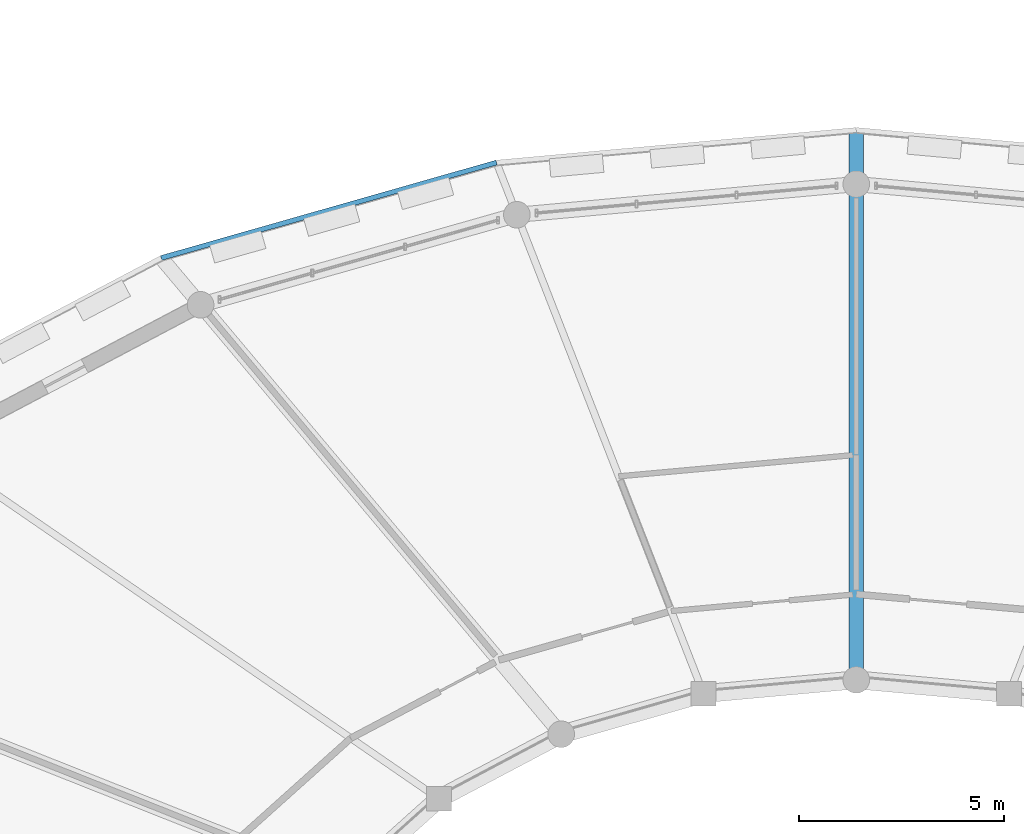
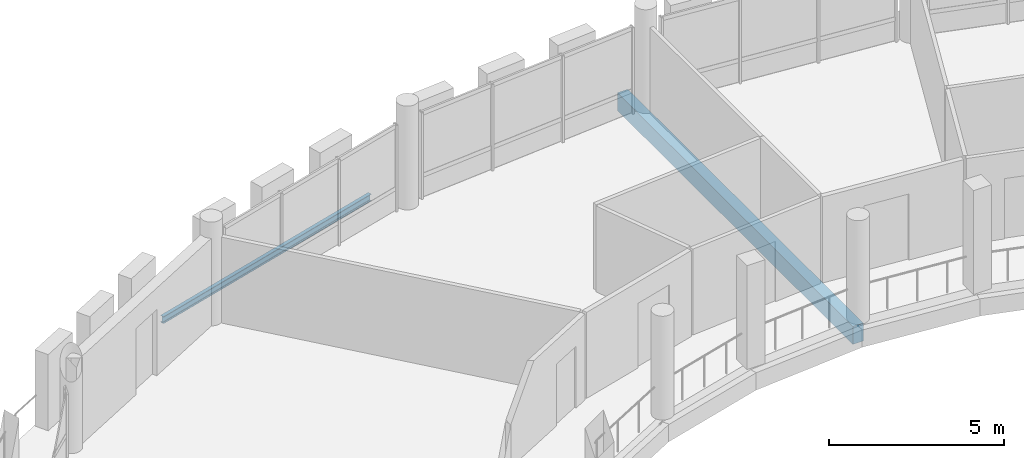
# One storey, part 44 of 93: 2 beams.
"""IFC4 building model written with IfcOpenShell, lengths in metres."""

from ifc_helpers import new_model, si_unit, direction, frame, origin, origin_2d, place, context, subcontext, project, spatial, rectangle, i_section, extrude, material, material_profile, profile_set, type_object, element, save


model = new_model("IFC4")

# Units and contexts
model_context = context("Model", 3, precision=1e-05, world=origin(), true_north=direction((0.0, 1.0)))
body_context = subcontext(model_context, "Body", "Model", "MODEL_VIEW")
ifc_project = project(units=[si_unit("LENGTHUNIT", "METRE"), si_unit("AREAUNIT", "SQUARE_METRE"), si_unit("VOLUMEUNIT", "CUBIC_METRE"), si_unit("PLANEANGLEUNIT", "RADIAN"), si_unit("MASSUNIT", "GRAM", prefix="KILO")], contexts=[model_context])

# Site, building, storey
site_placement = place(None, origin())
site = spatial("IfcSite", under=ifc_project, at=site_placement, CompositionType="ELEMENT")
building_placement = place(site_placement, origin())
building = spatial("IfcBuilding", under=site, at=building_placement, Name="Zornivar Specialist Clinic", CompositionType="ELEMENT")
storey_placement = place(building_placement, frame((0.0, 0.0, 8.39990234375)))
storey = spatial("IfcBuildingStorey", under=building, at=storey_placement, Name="L02", CompositionType="ELEMENT", Elevation=8.39990234375)

# Beams
ifc_material_1 = material(Name="Concrete C30/37", Category="concrete")
ifc_material_profile_1 = material_profile(ifc_material_1, rectangle(XDim=0.35009765625, YDim=0.6201171875, at=origin_2d()), Name="RC 350x620")
ifc_profile_set_1 = profile_set([ifc_material_profile_1], Name="Concrete C30/37")
beam_type_1 = type_object("IfcBeamType", Name="BM-RC-CANT-350x620", PredefinedType="BEAM", material=ifc_profile_set_1)
beam_1_placement = place(storey_placement, frame((93.60009765625, 67.5, -0.5498046875), z_axis=(0.0, 1.0, 0.0), x_axis=(-1.0, 0.0, 0.0)))
element("IfcBeam", 1, at=beam_1_placement, inside=storey, type_object=beam_type_1, Name="bm:V1:L02:radcant:06", PredefinedType="BEAM", context=body_context, shape_type="SweptSolid", body=[
    extrude(rectangle(XDim=0.35009765625, YDim=0.6201171875, at=origin_2d()), origin(), (0.0, 0.0, 1.0), 13.419921875),
])
ifc_material_2 = material(Name="Steel S355J2", Category="steel")
ifc_material_profile_2 = material_profile(ifc_material_2, i_section(OverallWidth=0.1201171875, OverallDepth=0.239990234375, WebThickness=0.006103515625, FlangeThickness=0.009765625, FilletRadius=0.014892578125, at=origin_2d()), Name="IPE 240")
ifc_profile_set_2 = profile_set([ifc_material_profile_2], Name="Steel S355J2")
beam_type_2 = type_object("IfcBeamType", Name="BM-STL-IPE240", PredefinedType="JOIST", material=ifc_profile_set_2)
beam_2_placement = place(storey_placement, frame((84.821044921875, 80.125, -0.35986328125), z_axis=(-0.961783454314, -0.273811225131, 0.0), x_axis=(0.273811225131, -0.961783454314, 0.0)))
element("IfcBeam", 2, at=beam_2_placement, inside=storey, type_object=beam_type_2, Name="bm:V1:L02:balring:07", PredefinedType="JOIST", context=body_context, shape_type="SweptSolid", body=[
    extrude(i_section(OverallWidth=0.1201171875, OverallDepth=0.239990234375, WebThickness=0.006103515625, FlangeThickness=0.009765625, FilletRadius=0.014892578125, at=origin_2d()), origin(), (0.0, 0.0, 1.0), 8.50634765625),
])

save(model, "model.ifc")
